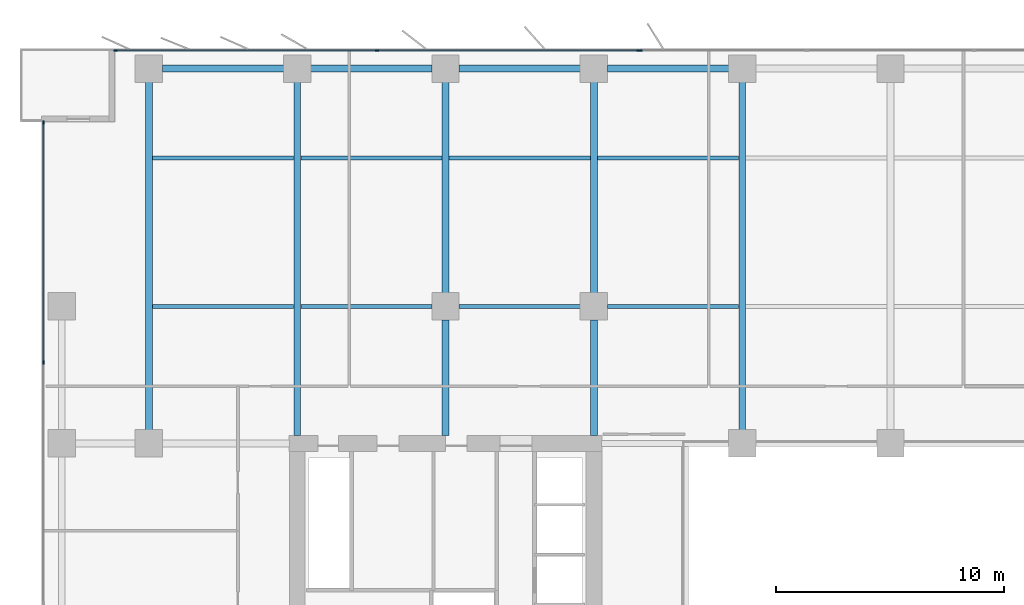
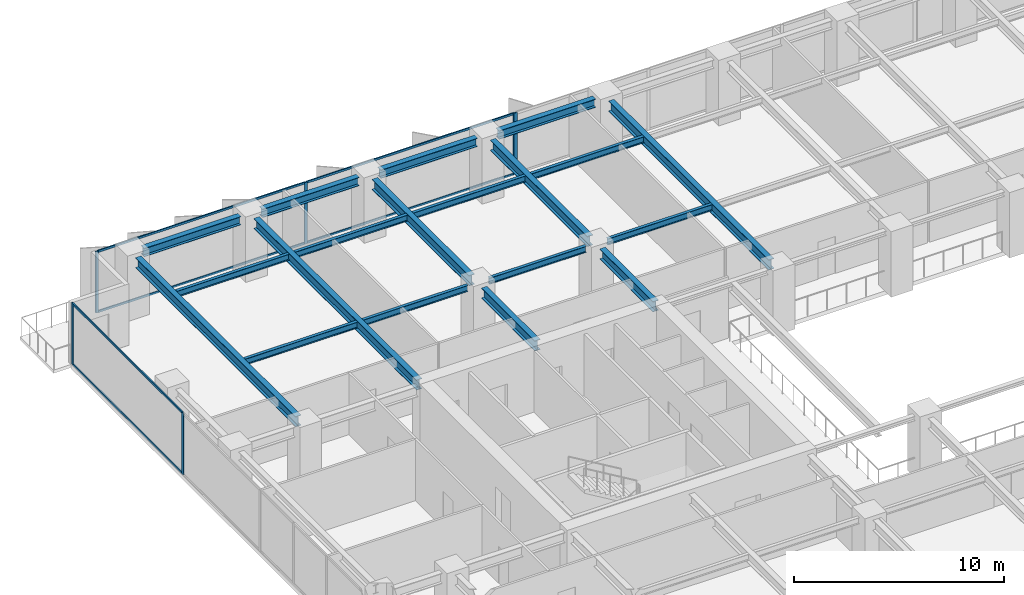
# One storey, part 7 of 20: 19 beams, 12 members, 3 elements without a shape of their own.
"""IFC4 building model written with IfcOpenShell, lengths in metres."""

from ifc_helpers import new_model, si_unit, direction, frame, origin, origin_2d, place, context, subcontext, project, spatial, rectangle, i_section, extrude, material, layer, layer_set, material_profile, profile_set, type_object, element, aggregate, save


model = new_model("IFC4")

# Units and contexts
model_context = context("Model", 3, precision=1e-05, world=origin(), true_north=direction((0.0, 1.0)))
body_context = subcontext(model_context, "Body", "Model", "MODEL_VIEW")
ifc_project = project(units=[si_unit("LENGTHUNIT", "METRE"), si_unit("AREAUNIT", "SQUARE_METRE"), si_unit("VOLUMEUNIT", "CUBIC_METRE"), si_unit("PLANEANGLEUNIT", "RADIAN"), si_unit("MASSUNIT", "GRAM", prefix="KILO")], contexts=[model_context])

# Site, building, storey
site_placement = place(None, origin())
site = spatial("IfcSite", under=ifc_project, at=site_placement, CompositionType="ELEMENT")
building_placement = place(site_placement, origin())
building = spatial("IfcBuilding", under=site, at=building_placement, Name="Putna Gate Headquarters", CompositionType="ELEMENT")
storey_placement = place(building_placement, frame((0.0, 0.0, 89.800048828125)))
storey = spatial("IfcBuildingStorey", under=building, at=storey_placement, Name="L21", CompositionType="ELEMENT", Elevation=89.800048828125)

# Beams
ifc_material_1 = material(Name="Steel S355J2", Category="steel")
ifc_material_profile_1 = material_profile(ifc_material_1, i_section(OverallWidth=0.300048828125, OverallDepth=0.60009765625, WebThickness=0.015380859375, FlangeThickness=0.030029296875, at=origin_2d()), Name="Steel S355J2")
ifc_profile_set_1 = profile_set([ifc_material_profile_1], Name="Steel S355J2")
beam_type_1 = type_object("IfcBeamType", Name="BM-GIRD-Z2-HEB600", PredefinedType="USERDEFINED", material=ifc_profile_set_1)
beam_1_placement = place(storey_placement, frame((6.5, 33.587890625, 3.264892578125), z_axis=(0.0, 1.0, 0.0), x_axis=(-1.0, 0.0, 0.0)))
element("IfcBeam", 1, at=beam_1_placement, inside=storey, type_object=beam_type_1, Name="L21 North Primary Girder X6", ObjectType="GIRDER", PredefinedType="USERDEFINED", context=body_context, shape_type="SweptSolid", body=[
    extrude(i_section(OverallWidth=0.300048828125, OverallDepth=0.60009765625, WebThickness=0.015380859375, FlangeThickness=0.030029296875, at=origin_2d()), origin(), (0.0, 0.0, 1.0), 15.244140625),
])
beam_2_placement = place(storey_placement, frame((13.0, 33.3349609375, 3.264892578125), z_axis=(0.0, 1.0, 0.0), x_axis=(-1.0, 0.0, 0.0)))
element("IfcBeam", 2, at=beam_2_placement, inside=storey, type_object=beam_type_1, Name="L21 North Primary Girder X13", ObjectType="GIRDER", PredefinedType="USERDEFINED", context=body_context, shape_type="SweptSolid", body=[
    extrude(i_section(OverallWidth=0.300048828125, OverallDepth=0.60009765625, WebThickness=0.015380859375, FlangeThickness=0.030029296875, at=origin_2d()), origin(), (0.0, 0.0, 1.0), 15.4970703125),
])
beam_3_placement = place(storey_placement, frame((19.5, 33.3349609375, 3.264892578125), z_axis=(0.0, 1.0, 0.0), x_axis=(-1.0, 0.0, 0.0)))
element("IfcBeam", 3, at=beam_3_placement, inside=storey, type_object=beam_type_1, Name="L21 North Primary Girder X19-1", ObjectType="GIRDER", PredefinedType="USERDEFINED", context=body_context, shape_type="SweptSolid", body=[
    extrude(i_section(OverallWidth=0.300048828125, OverallDepth=0.60009765625, WebThickness=0.015380859375, FlangeThickness=0.030029296875, at=origin_2d()), origin(), (0.0, 0.0, 1.0), 5.0771484375),
])
beam_4_placement = place(storey_placement, frame((19.5, 39.587890625, 3.264892578125), z_axis=(0.0, 1.0, 0.0), x_axis=(-1.0, 0.0, 0.0)))
element("IfcBeam", 4, at=beam_4_placement, inside=storey, type_object=beam_type_1, Name="L21 North Primary Girder X19-2", ObjectType="GIRDER", PredefinedType="USERDEFINED", context=body_context, shape_type="SweptSolid", body=[
    extrude(i_section(OverallWidth=0.300048828125, OverallDepth=0.60009765625, WebThickness=0.015380859375, FlangeThickness=0.030029296875, at=origin_2d()), origin(), (0.0, 0.0, 1.0), 9.244140625),
])
beam_5_placement = place(storey_placement, frame((26.0, 33.3349609375, 3.264892578125), z_axis=(0.0, 1.0, 0.0), x_axis=(-1.0, 0.0, 0.0)))
element("IfcBeam", 5, at=beam_5_placement, inside=storey, type_object=beam_type_1, Name="L21 North Primary Girder X26-1", ObjectType="GIRDER", PredefinedType="USERDEFINED", context=body_context, shape_type="SweptSolid", body=[
    extrude(i_section(OverallWidth=0.300048828125, OverallDepth=0.60009765625, WebThickness=0.015380859375, FlangeThickness=0.030029296875, at=origin_2d()), origin(), (0.0, 0.0, 1.0), 5.0771484375),
])
beam_6_placement = place(storey_placement, frame((26.0, 39.587890625, 3.264892578125), z_axis=(0.0, 1.0, 0.0), x_axis=(-1.0, 0.0, 0.0)))
element("IfcBeam", 6, at=beam_6_placement, inside=storey, type_object=beam_type_1, Name="L21 North Primary Girder X26-2", ObjectType="GIRDER", PredefinedType="USERDEFINED", context=body_context, shape_type="SweptSolid", body=[
    extrude(i_section(OverallWidth=0.300048828125, OverallDepth=0.60009765625, WebThickness=0.015380859375, FlangeThickness=0.030029296875, at=origin_2d()), origin(), (0.0, 0.0, 1.0), 9.244140625),
])
beam_7_placement = place(storey_placement, frame((32.5, 33.587890625, 3.264892578125), z_axis=(0.0, 1.0, 0.0), x_axis=(-1.0, 0.0, 0.0)))
element("IfcBeam", 7, at=beam_7_placement, inside=storey, type_object=beam_type_1, Name="L21 North Primary Girder X32", ObjectType="GIRDER", PredefinedType="USERDEFINED", context=body_context, shape_type="SweptSolid", body=[
    extrude(i_section(OverallWidth=0.300048828125, OverallDepth=0.60009765625, WebThickness=0.015380859375, FlangeThickness=0.030029296875, at=origin_2d()), origin(), (0.0, 0.0, 1.0), 15.244140625),
])
ifc_material_profile_2 = material_profile(ifc_material_1, i_section(OverallWidth=0.169921875, OverallDepth=0.360107421875, WebThickness=0.008056640625, FlangeThickness=0.0126953125, at=origin_2d()), Name="Steel S355J2")
ifc_profile_set_2 = profile_set([ifc_material_profile_2], Name="Steel S355J2")
beam_type_2 = type_object("IfcBeamType", Name="BM-SEC-Z2-IPE360", PredefinedType="BEAM", material=ifc_profile_set_2)
for number, where, z_axis, x_axis, name in (
    (8, (6.654052734375, 39.0, 3.385009765625), (1.0, 0.0, 0.0), (0.0, 1.0, 0.0), "L21 North Secondary Beam 1"),
    (9, (6.654052734375, 45.5, 3.385009765625), (1.0, 0.0, 0.0), (0.0, 1.0, 0.0), "L21 North Secondary Beam 1"),
):
    element("IfcBeam", number, at=place(storey_placement, frame(where, z_axis=z_axis, x_axis=x_axis)), inside=storey, type_object=beam_type_2, Name=name, PredefinedType="BEAM", context=body_context, shape_type="SweptSolid", body=[
        extrude(i_section(OverallWidth=0.169921875, OverallDepth=0.360107421875, WebThickness=0.008056640625, FlangeThickness=0.0126953125, at=origin_2d()), origin(), (0.0, 0.0, 1.0), 6.19189453125),
    ])
beam_8_placement = place(storey_placement, frame((13.154052734375, 39.0, 3.385009765625), z_axis=(1.0, 0.0, 0.0), x_axis=(0.0, 1.0, 0.0)))
element("IfcBeam", 10, at=beam_8_placement, inside=storey, type_object=beam_type_2, Name="L21 North Secondary Beam 2", PredefinedType="BEAM", context=body_context, shape_type="SweptSolid", body=[
    extrude(i_section(OverallWidth=0.169921875, OverallDepth=0.360107421875, WebThickness=0.008056640625, FlangeThickness=0.0126953125, at=origin_2d()), origin(), (0.0, 0.0, 1.0), 5.758056640625),
])
beam_9_placement = place(storey_placement, frame((13.154052734375, 45.5, 3.385009765625), z_axis=(1.0, 0.0, 0.0), x_axis=(0.0, 1.0, 0.0)))
element("IfcBeam", 11, at=beam_9_placement, inside=storey, type_object=beam_type_2, Name="L21 North Secondary Beam 2", PredefinedType="BEAM", context=body_context, shape_type="SweptSolid", body=[
    extrude(i_section(OverallWidth=0.169921875, OverallDepth=0.360107421875, WebThickness=0.008056640625, FlangeThickness=0.0126953125, at=origin_2d()), origin(), (0.0, 0.0, 1.0), 6.19189453125),
])
beam_10_placement = place(storey_placement, frame((20.087890625, 39.0, 3.385009765625), z_axis=(1.0, 0.0, 0.0), x_axis=(0.0, 1.0, 0.0)))
element("IfcBeam", 12, at=beam_10_placement, inside=storey, type_object=beam_type_2, Name="L21 North Secondary Beam 3", PredefinedType="BEAM", context=body_context, shape_type="SweptSolid", body=[
    extrude(i_section(OverallWidth=0.169921875, OverallDepth=0.360107421875, WebThickness=0.008056640625, FlangeThickness=0.0126953125, at=origin_2d()), origin(), (0.0, 0.0, 1.0), 5.32421875),
])
beam_11_placement = place(storey_placement, frame((19.654052734375, 45.5, 3.385009765625), z_axis=(1.0, 0.0, 0.0), x_axis=(0.0, 1.0, 0.0)))
element("IfcBeam", 13, at=beam_11_placement, inside=storey, type_object=beam_type_2, Name="L21 North Secondary Beam 3", PredefinedType="BEAM", context=body_context, shape_type="SweptSolid", body=[
    extrude(i_section(OverallWidth=0.169921875, OverallDepth=0.360107421875, WebThickness=0.008056640625, FlangeThickness=0.0126953125, at=origin_2d()), origin(), (0.0, 0.0, 1.0), 6.19189453125),
])
beam_12_placement = place(storey_placement, frame((26.587890625, 39.0, 3.385009765625), z_axis=(1.0, 0.0, 0.0), x_axis=(0.0, 1.0, 0.0)))
element("IfcBeam", 14, at=beam_12_placement, inside=storey, type_object=beam_type_2, Name="L21 North Secondary Beam 4", PredefinedType="BEAM", context=body_context, shape_type="SweptSolid", body=[
    extrude(i_section(OverallWidth=0.169921875, OverallDepth=0.360107421875, WebThickness=0.008056640625, FlangeThickness=0.0126953125, at=origin_2d()), origin(), (0.0, 0.0, 1.0), 5.758056640625),
])
beam_13_placement = place(storey_placement, frame((26.154052734375, 45.5, 3.385009765625), z_axis=(1.0, 0.0, 0.0), x_axis=(0.0, 1.0, 0.0)))
element("IfcBeam", 15, at=beam_13_placement, inside=storey, type_object=beam_type_2, Name="L21 North Secondary Beam 4", PredefinedType="BEAM", context=body_context, shape_type="SweptSolid", body=[
    extrude(i_section(OverallWidth=0.169921875, OverallDepth=0.360107421875, WebThickness=0.008056640625, FlangeThickness=0.0126953125, at=origin_2d()), origin(), (0.0, 0.0, 1.0), 6.19189453125),
])
ifc_material_profile_3 = material_profile(ifc_material_1, i_section(OverallWidth=0.300048828125, OverallDepth=0.489990234375, WebThickness=0.011962890625, FlangeThickness=0.02294921875, at=origin_2d()), Name="Steel S355J2")
ifc_profile_set_3 = profile_set([ifc_material_profile_3], Name="Steel S355J2")
beam_type_3 = type_object("IfcBeamType", Name="BM-SPAN-Z2-HEA500", PredefinedType="SPANDREL", material=ifc_profile_set_3)
for number, where, z_axis, x_axis, name in (
    (16, (7.087890625, 49.419921875, 3.320068359375), (1.0, 0.0, 0.0), (0.0, 1.0, 0.0), "L21 N Perimeter Spandrel 1"),
    (17, (13.587890625, 49.419921875, 3.320068359375), (1.0, 0.0, 0.0), (0.0, 1.0, 0.0), "L21 N Perimeter Spandrel 2"),
    (18, (20.087890625, 49.419921875, 3.320068359375), (1.0, 0.0, 0.0), (0.0, 1.0, 0.0), "L21 N Perimeter Spandrel 3"),
    (19, (26.587890625, 49.419921875, 3.320068359375), (1.0, 0.0, 0.0), (0.0, 1.0, 0.0), "L21 N Perimeter Spandrel 4"),
):
    element("IfcBeam", number, at=place(storey_placement, frame(where, z_axis=z_axis, x_axis=x_axis)), inside=storey, type_object=beam_type_3, Name=name, PredefinedType="SPANDREL", context=body_context, shape_type="SweptSolid", body=[
        extrude(i_section(OverallWidth=0.300048828125, OverallDepth=0.489990234375, WebThickness=0.011962890625, FlangeThickness=0.02294921875, at=origin_2d()), origin(), (0.0, 0.0, 1.0), 5.32421875),
    ])

# Curtain wall, members
ifc_material_2 = material(Name="Anodised bronze aluminium curtain wall", Category="aluminium")
ifc_layer_1 = layer(ifc_material_2, 0.159912109375)
ifc_layer_set_1 = layer_set([ifc_layer_1], Name="Anodised bronze aluminium curtain wall")
curtain_wall_type_1 = type_object("IfcCurtainWallType", Name="CW-SYS-Z2", PredefinedType="USERDEFINED", material=ifc_layer_set_1)
curtain_wall_1_placement = place(storey_placement, origin())
curtain_wall_1 = element("IfcCurtainWall", 20, at=curtain_wall_1_placement, inside=storey, type_object=curtain_wall_type_1, Name="L21 North West Curtain Wall", ObjectType="STICK CURTAIN WALL", PredefinedType="USERDEFINED")
ifc_material_3 = material(Name="Anodised bronze aluminium EN AW-6060", Category="aluminium")
ifc_material_profile_4 = material_profile(ifc_material_3, rectangle(XDim=0.06494140625, YDim=0.159912109375, at=origin_2d()), Name="Anodised bronze aluminium EN AW-6060")
ifc_profile_set_4 = profile_set([ifc_material_profile_4], Name="Anodised bronze aluminium EN AW-6060")
member_type_1 = type_object("IfcMemberType", Name="MULL-CWM-2", PredefinedType="MULLION", material=ifc_profile_set_4)
member_1_placement = place(storey_placement, frame((5.032470703125, 50.219970703125, 0.0), z_axis=(0.0, 0.0, 1.0), x_axis=(0.0, 1.0, 0.0)))
member_1 = element("IfcMember", 21, at=member_1_placement, type_object=member_type_1, Name="CWS-2 mullion 1", PredefinedType="MULLION", context=body_context, shape_type="SweptSolid", body=[
    extrude(rectangle(XDim=0.06494140625, YDim=0.159912109375, at=origin_2d()), origin(), (0.0, 0.0, 1.0), 3.56494140625),
])
member_2_placement = place(storey_placement, frame((16.5, 50.219970703125, 0.0), z_axis=(0.0, 0.0, 1.0), x_axis=(0.0, 1.0, 0.0)))
member_2 = element("IfcMember", 22, at=member_2_placement, type_object=member_type_1, Name="CWS-2 mullion 2", PredefinedType="MULLION", context=body_context, shape_type="SweptSolid", body=[
    extrude(rectangle(XDim=0.06494140625, YDim=0.159912109375, at=origin_2d()), origin(), (0.0, 0.0, 1.0), 3.56494140625),
])
member_3_placement = place(storey_placement, frame((27.967529296875, 50.219970703125, 0.0), z_axis=(0.0, 0.0, 1.0), x_axis=(0.0, 1.0, 0.0)))
member_3 = element("IfcMember", 23, at=member_3_placement, type_object=member_type_1, Name="CWS-2 mullion 3", PredefinedType="MULLION", context=body_context, shape_type="SweptSolid", body=[
    extrude(rectangle(XDim=0.06494140625, YDim=0.159912109375, at=origin_2d()), origin(), (0.0, 0.0, 1.0), 3.56494140625),
])

curtain_wall_2_placement = place(storey_placement, origin())
curtain_wall_2 = element("IfcCurtainWall", 24, at=curtain_wall_2_placement, inside=storey, type_object=curtain_wall_type_1, Name="L21 West Curtain Wall", ObjectType="STICK CURTAIN WALL", PredefinedType="USERDEFINED")
member_4_placement = place(storey_placement, frame((1.8798828125, 36.550048828125, 0.0), z_axis=(0.0, 0.0, 1.0), x_axis=(-1.0, 0.0, 0.0)))
member_4 = element("IfcMember", 25, at=member_4_placement, type_object=member_type_1, Name="CWS-2 mullion 4", PredefinedType="MULLION", context=body_context, shape_type="SweptSolid", body=[
    extrude(rectangle(XDim=0.06494140625, YDim=0.159912109375, at=origin_2d()), origin(), (0.0, 0.0, 1.0), 3.56494140625),
])
member_5_placement = place(storey_placement, frame((1.8798828125, 47.0673828125, 0.0), z_axis=(0.0, 0.0, 1.0), x_axis=(-1.0, 0.0, 0.0)))
member_5 = element("IfcMember", 26, at=member_5_placement, type_object=member_type_1, Name="CWS-2 mullion 5", PredefinedType="MULLION", context=body_context, shape_type="SweptSolid", body=[
    extrude(rectangle(XDim=0.06494140625, YDim=0.159912109375, at=origin_2d()), origin(), (0.0, 0.0, 1.0), 3.56494140625),
])

# Curtain wall, member
ifc_layer_2 = layer(ifc_material_2, 0.179931640625)
ifc_layer_set_2 = layer_set([ifc_layer_2], Name="Anodised bronze aluminium curtain wall")
curtain_wall_type_2 = type_object("IfcCurtainWallType", Name="CW-SYS-ATR", PredefinedType="USERDEFINED", material=ifc_layer_set_2)
curtain_wall_3_placement = place(storey_placement, origin())
curtain_wall_3 = element("IfcCurtainWall", 27, at=curtain_wall_3_placement, inside=storey, type_object=curtain_wall_type_2, Name="L21 North Atrium Clear Glazing", ObjectType="ATRIUM GLAZING", PredefinedType="USERDEFINED")
ifc_material_profile_5 = material_profile(ifc_material_3, rectangle(XDim=0.070068359375, YDim=0.179931640625, at=origin_2d()), Name="Anodised bronze aluminium EN AW-6060")
ifc_profile_set_5 = profile_set([ifc_material_profile_5], Name="Anodised bronze aluminium EN AW-6060")
member_type_2 = type_object("IfcMemberType", Name="MULL-CWM-AT", PredefinedType="MULLION", material=ifc_profile_set_5)
member_6_placement = place(storey_placement, frame((28.034912109375, 50.219970703125, 0.0), z_axis=(0.0, 0.0, 1.0), x_axis=(0.0, 1.0, 0.0)))
member_6 = element("IfcMember", 28, at=member_6_placement, type_object=member_type_2, Name="CWS-AT mullion 1", PredefinedType="MULLION", context=body_context, shape_type="SweptSolid", body=[
    extrude(rectangle(XDim=0.070068359375, YDim=0.179931640625, at=origin_2d()), origin(), (0.0, 0.0, 1.0), 3.56494140625),
])
aggregate(curtain_wall_3, [member_6])

# Member
ifc_material_profile_6 = material_profile(ifc_material_3, rectangle(XDim=0.06494140625, YDim=0.1201171875, at=origin_2d()), Name="Anodised bronze aluminium EN AW-6060")
ifc_profile_set_6 = profile_set([ifc_material_profile_6], Name="Anodised bronze aluminium EN AW-6060")
member_type_3 = type_object("IfcMemberType", Name="TRAN-CWT-2", PredefinedType="USERDEFINED", material=ifc_profile_set_6)
member_7_placement = place(storey_placement, frame((5.06494140625, 50.219970703125, 0.032470703125), z_axis=(1.0, 0.0, 0.0), x_axis=(0.0, 1.0, 0.0)))
member_7 = element("IfcMember", 29, at=member_7_placement, type_object=member_type_3, Name="CWS-2 transom 1.1", ObjectType="TRANSOM", PredefinedType="USERDEFINED", context=body_context, shape_type="SweptSolid", body=[
    extrude(rectangle(XDim=0.06494140625, YDim=0.1201171875, at=origin_2d()), origin(), (0.0, 0.0, 1.0), 11.402587890625),
])

member_8_placement = place(storey_placement, frame((5.06494140625, 50.219970703125, 3.532470703125), z_axis=(1.0, 0.0, 0.0), x_axis=(0.0, 1.0, 0.0)))
member_8 = element("IfcMember", 30, at=member_8_placement, type_object=member_type_3, Name="CWS-2 transom 1.2", ObjectType="TRANSOM", PredefinedType="USERDEFINED", context=body_context, shape_type="SweptSolid", body=[
    extrude(rectangle(XDim=0.06494140625, YDim=0.1201171875, at=origin_2d()), origin(), (0.0, 0.0, 1.0), 11.402587890625),
])

member_9_placement = place(storey_placement, frame((16.532470703125, 50.219970703125, 0.032470703125), z_axis=(1.0, 0.0, 0.0), x_axis=(0.0, 1.0, 0.0)))
member_9 = element("IfcMember", 31, at=member_9_placement, type_object=member_type_3, Name="CWS-2 transom 2.1", ObjectType="TRANSOM", PredefinedType="USERDEFINED", context=body_context, shape_type="SweptSolid", body=[
    extrude(rectangle(XDim=0.06494140625, YDim=0.1201171875, at=origin_2d()), origin(), (0.0, 0.0, 1.0), 11.402587890625),
])

member_10_placement = place(storey_placement, frame((16.532470703125, 50.219970703125, 3.532470703125), z_axis=(1.0, 0.0, 0.0), x_axis=(0.0, 1.0, 0.0)))
member_10 = element("IfcMember", 32, at=member_10_placement, type_object=member_type_3, Name="CWS-2 transom 2.2", ObjectType="TRANSOM", PredefinedType="USERDEFINED", context=body_context, shape_type="SweptSolid", body=[
    extrude(rectangle(XDim=0.06494140625, YDim=0.1201171875, at=origin_2d()), origin(), (0.0, 0.0, 1.0), 11.402587890625),
])

aggregate(curtain_wall_1, [member_1, member_2, member_3, member_7, member_8, member_9, member_10])

member_11_placement = place(storey_placement, frame((1.8798828125, 36.58251953125, 0.032470703125), z_axis=(0.0, 1.0, 0.0), x_axis=(-1.0, 0.0, 0.0)))
member_11 = element("IfcMember", 33, at=member_11_placement, type_object=member_type_3, Name="CWS-2 transom 4.1", ObjectType="TRANSOM", PredefinedType="USERDEFINED", context=body_context, shape_type="SweptSolid", body=[
    extrude(rectangle(XDim=0.06494140625, YDim=0.1201171875, at=origin_2d()), origin(), (0.0, 0.0, 1.0), 10.452392578125),
])

member_12_placement = place(storey_placement, frame((1.8798828125, 36.58251953125, 3.532470703125), z_axis=(0.0, 1.0, 0.0), x_axis=(-1.0, 0.0, 0.0)))
member_12 = element("IfcMember", 34, at=member_12_placement, type_object=member_type_3, Name="CWS-2 transom 4.2", ObjectType="TRANSOM", PredefinedType="USERDEFINED", context=body_context, shape_type="SweptSolid", body=[
    extrude(rectangle(XDim=0.06494140625, YDim=0.1201171875, at=origin_2d()), origin(), (0.0, 0.0, 1.0), 10.452392578125),
])

aggregate(curtain_wall_2, [member_4, member_5, member_11, member_12])

save(model, "model.ifc")
